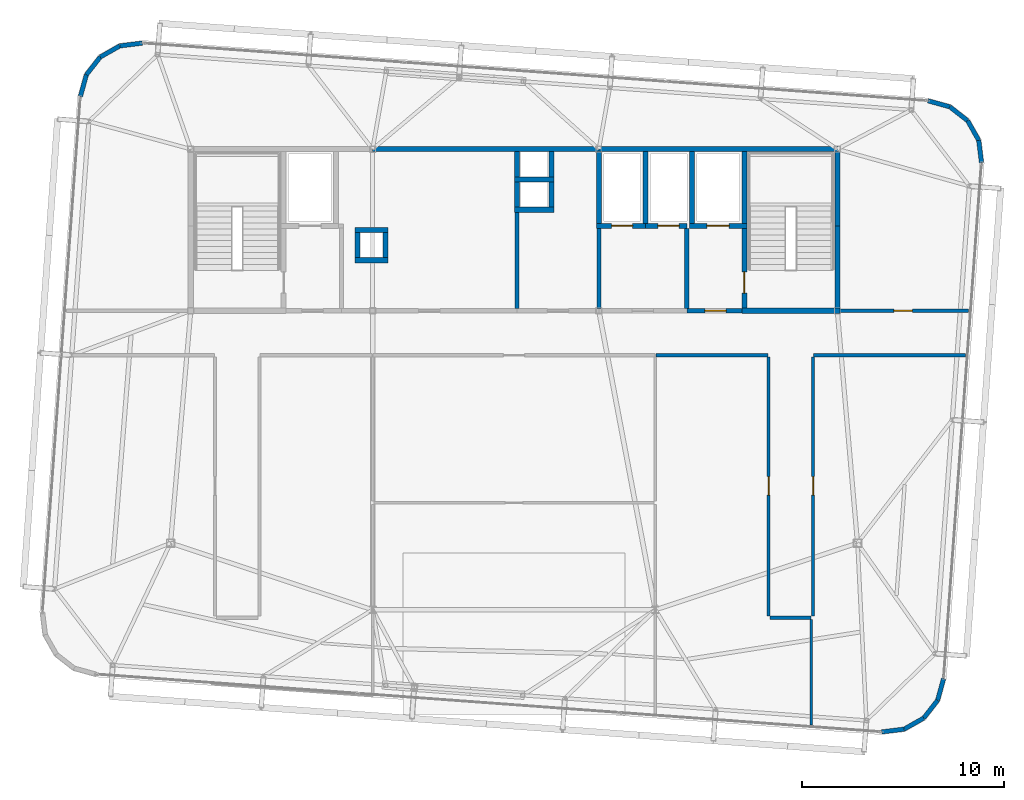
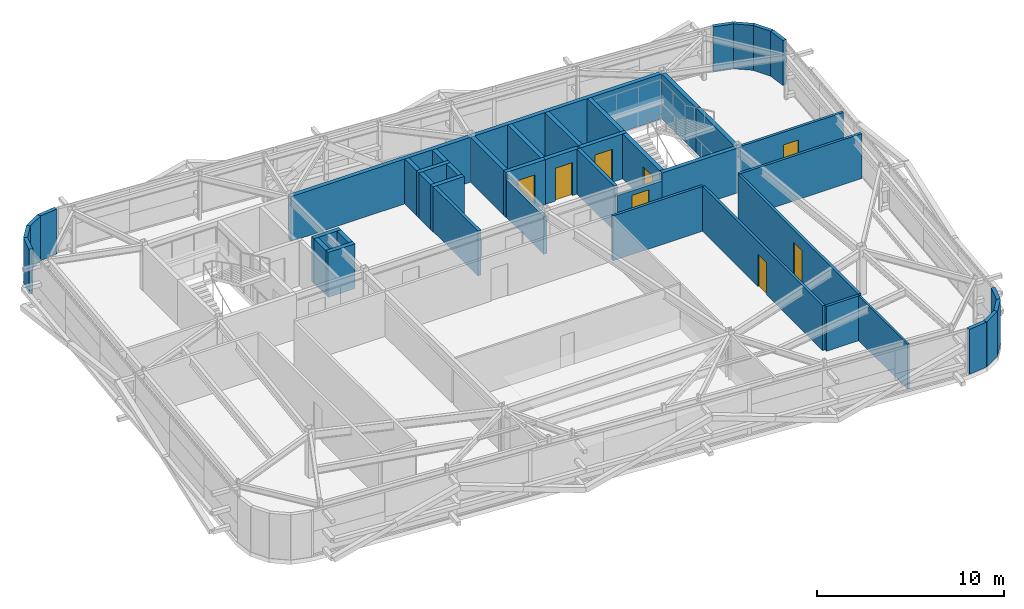
# One storey, part 32 of 35: 46 walls, 8 doors, 8 openings.
"""IFC4 building model written with IfcOpenShell, lengths in metres."""

from ifc_helpers import new_model, si_unit, direction, frame, frame_2d, origin, place, context, subcontext, project, spatial, rectangle, extrude, source, transform, mapped, material, layer, layer_set, type_object, element, fill, save


model = new_model("IFC4")

# Units and contexts
model_context = context("Model", 3, precision=1e-05, world=origin(), true_north=direction((0.0, 1.0)))
body_context = subcontext(model_context, "Body", "Model", "MODEL_VIEW")
ifc_project = project(units=[si_unit("LENGTHUNIT", "METRE"), si_unit("AREAUNIT", "SQUARE_METRE"), si_unit("VOLUMEUNIT", "CUBIC_METRE"), si_unit("PLANEANGLEUNIT", "RADIAN"), si_unit("MASSUNIT", "GRAM", prefix="KILO")], contexts=[model_context])

# Site, building, storey
site_placement = place(None, origin())
site = spatial("IfcSite", under=ifc_project, at=site_placement, CompositionType="ELEMENT")
building_placement = place(site_placement, origin())
building = spatial("IfcBuilding", under=site, at=building_placement, Name="Taldren Reach Tower", CompositionType="ELEMENT")
storey_placement = place(building_placement, frame((0.0, 0.0, 236.60009765625)))
storey = spatial("IfcBuildingStorey", under=building, at=storey_placement, Name="L72", CompositionType="ELEMENT", Elevation=236.60009765625)

# Walls
ifc_material_1 = material(Name="Pale Champagne Anodised Aluminium Cladding", Category="aluminium")
ifc_layer_1 = layer(ifc_material_1, 0.04, Name="Pale Champagne Anodised Aluminium Cladding", Category="aluminium")
ifc_material_2 = material(Name="Mineral Wool Acoustic Insulation", Category="insulation")
ifc_layer_2 = layer(ifc_material_2, 0.06, Name="Mineral Wool Acoustic Insulation", Category="insulation")
ifc_material_3 = material(Name="Steel Gr 350 (C350L0)", Category="steel")
ifc_layer_3 = layer(ifc_material_3, 0.12, Name="Steel Gr 350 (C350L0)", Category="steel")
ifc_layer_set_1 = layer_set([ifc_layer_1, ifc_layer_2, ifc_layer_3], Name="Pale Champagne Aluminium Cladding and Steel Gr 350 Stud Framing")
wall_type_1 = type_object("IfcWallType", Name="EW-CRN-220", PredefinedType="SOLIDWALL", material=ifc_layer_set_1)
shared_shape_1 = source(origin(), body_context, "Body", "SweptSolid", [
    extrude(rectangle(XDim=1.115966796875, YDim=0.219970703125, at=frame_2d((0.55810546875, 0.0))), origin(), (0.0, 0.0, 1.0), 2.929931640625),
])
for number, where, z_axis, x_axis, name in (
    (1, (53.20068359375, 3.15380859375, 0.0), (0.0, 0.0, 1.0), (0.992438604032, 0.122742076028, 0.0), "Rounded-corner pale-metal facade wall L72-SE1"),
    (2, (55.279052734375, 3.84130859375, 0.0), (0.0, 0.0, 1.0), (0.615015475096, 0.788515038152, 0.0), "Rounded-corner pale-metal facade wall L72-SE3"),
    (3, (55.96533203125, 4.72119140625, 0.0), (0.0, 0.0, 1.0), (0.26624444942, 0.963905541613, 0.0), "Rounded-corner pale-metal facade wall L72-SE4"),
    (4, (58.137451171875, 31.328125, 0.0), (0.0, 0.0, 1.0), (-0.122742076028, 0.992438604032, 0.0), "Rounded-corner pale-metal facade wall L72-NE1"),
    (5, (57.4501953125, 33.40625, 0.0), (0.0, 0.0, 1.0), (-0.788597772321, 0.614909386406, 0.0), "Rounded-corner pale-metal facade wall L72-NE3"),
    (6, (14.52099609375, 36.558837890625, 0.0), (0.0, 0.0, 1.0), (-0.614909386406, -0.788597772321, 0.0), "Rounded-corner pale-metal facade wall L72-NW3"),
):
    element("IfcWall", number, at=place(storey_placement, frame(where, z_axis=z_axis, x_axis=x_axis)), inside=storey, type_object=wall_type_1, Name=name, PredefinedType="SOLIDWALL", context=body_context, shape_type="MappedRepresentation", body=[
        mapped(shared_shape_1, transform((0.0, 0.0, 0.0), scale=1.0)),
    ])
shared_shape_2 = source(origin(), body_context, "Body", "SweptSolid", [
    extrude(rectangle(XDim=1.11572265625, YDim=0.219970703125, at=frame_2d((0.557861328125, 0.0))), origin(), (0.0, 0.0, 1.0), 2.929931640625),
])
for number, where, z_axis, x_axis, name in (
    (7, (58.00048828125, 32.435546875, 0.0), (0.0, 0.0, 1.0), (-0.493167138628, 0.869934579941, 0.0), "Rounded-corner pale-metal facade wall L72-NE2"),
    (8, (56.570068359375, 34.092529296875, 0.0), (0.0, 0.0, 1.0), (-0.963833843713, 0.266503886865, 0.0), "Rounded-corner pale-metal facade wall L72-NE4"),
    (9, (15.49169921875, 37.109130859375, 0.0), (0.0, 0.0, 1.0), (-0.869934579941, -0.493167138628, 0.0), "Rounded-corner pale-metal facade wall L72-NW2"),
    (10, (13.834716796875, 35.6787109375, 0.0), (0.0, 0.0, 1.0), (-0.266300605026, -0.963890028874, 0.0), "Rounded-corner pale-metal facade wall L72-NW4"),
):
    element("IfcWall", number, at=place(storey_placement, frame(where, z_axis=z_axis, x_axis=x_axis)), inside=storey, type_object=wall_type_1, Name=name, PredefinedType="SOLIDWALL", context=body_context, shape_type="MappedRepresentation", body=[
        mapped(shared_shape_2, transform((0.0, 0.0, 0.0), scale=1.0)),
    ])
shared_shape_3 = source(origin(), body_context, "Body", "SweptSolid", [
    extrude(rectangle(XDim=1.1162109375, YDim=0.219970703125, at=frame_2d((0.55810546875, 0.0))), origin(), (0.0, 0.0, 1.0), 2.929931640625),
])
for number, where, z_axis, x_axis, name in (
    (11, (54.30810546875, 3.290771484375, 0.0), (0.0, 0.0, 1.0), (0.869893934693, 0.49323882895, 0.0), "Rounded-corner pale-metal facade wall L72-SE2"),
    (12, (16.599365234375, 37.24609375, 0.0), (0.0, 0.0, 1.0), (-0.992441899189, -0.122715429897, 0.0), "Rounded-corner pale-metal facade wall L72-NW1"),
):
    element("IfcWall", number, at=place(storey_placement, frame(where, z_axis=z_axis, x_axis=x_axis)), inside=storey, type_object=wall_type_1, Name=name, PredefinedType="SOLIDWALL", context=body_context, shape_type="MappedRepresentation", body=[
        mapped(shared_shape_3, transform((0.0, 0.0, 0.0), scale=1.0)),
    ])
ifc_material_4 = material(Name="Concrete S65 (65 MPa)", Category="concrete")
ifc_layer_4 = layer(ifc_material_4, 0.25)
ifc_layer_set_2 = layer_set([ifc_layer_4], Name="Concrete S65 (65 MPa)")
wall_type_2 = type_object("IfcWallType", Name="IW-CORE-250", PredefinedType="SHEAR", material=ifc_layer_set_2)
shared_shape_4 = source(origin(), body_context, "Body", "SweptSolid", [
    extrude(rectangle(XDim=11.199951171875, YDim=0.25, at=frame_2d((5.60009765625, 0.0))), origin(), (0.0, 0.0, 1.0), 2.929931640625),
])
wall_1_placement = place(storey_placement, frame((28.0, 32.0, 0.0), z_axis=(0.0, 0.0, 1.0), x_axis=(1.0, 0.0, 0.0)))
element("IfcWall", 13, at=wall_1_placement, inside=storey, type_object=wall_type_2, Name="Rear Core Shear Wall W-CORE-L72-NORTH2", PredefinedType="SHEAR", context=body_context, shape_type="MappedRepresentation", body=[
    mapped(shared_shape_4, transform((0.0, 0.0, 0.0), scale=1.0)),
])
shared_shape_5 = source(origin(), body_context, "Body", "SweptSolid", [
    extrude(rectangle(XDim=11.925048828125, YDim=0.25, at=frame_2d((5.96240234375, 0.0))), origin(), (0.0, 0.0, 1.0), 2.929931640625),
])
wall_2_placement = place(storey_placement, frame((39.199951171875, 32.0, 0.0), z_axis=(0.0, 0.0, 1.0), x_axis=(1.0, 0.0, 0.0)))
element("IfcWall", 14, at=wall_2_placement, inside=storey, type_object=wall_type_2, Name="Rear Core Shear Wall W-CORE-L72-NORTH3", PredefinedType="SHEAR", context=body_context, shape_type="MappedRepresentation", body=[
    mapped(shared_shape_5, transform((0.0, 0.0, 0.0), scale=1.0)),
])
shared_shape_6 = source(origin(), body_context, "Body", "SweptSolid", [
    extrude(rectangle(XDim=4.074951171875, YDim=0.25, at=frame_2d((2.03759765625, 0.0))), origin(), (0.0, 0.0, 1.0), 2.929931640625),
])
wall_3_placement = place(storey_placement, frame((51.0, 24.125, 0.0), z_axis=(0.0, 0.0, 1.0), x_axis=(0.0, 1.0, 0.0)))
element("IfcWall", 15, at=wall_3_placement, inside=storey, type_object=wall_type_2, Name="Rear Core Shear Wall W-CORE-L72-EAST1", PredefinedType="SHEAR", context=body_context, shape_type="MappedRepresentation", body=[
    mapped(shared_shape_6, transform((0.0, 0.0, 0.0), scale=1.0)),
])
shared_shape_7 = source(origin(), body_context, "Body", "SweptSolid", [
    extrude(rectangle(XDim=3.675048828125, YDim=0.25, at=frame_2d((1.83740234375, 0.0))), origin(), (0.0, 0.0, 1.0), 2.929931640625),
])
wall_4_placement = place(storey_placement, frame((51.0, 28.199951171875, 0.0), z_axis=(0.0, 0.0, 1.0), x_axis=(0.0, 1.0, 0.0)))
element("IfcWall", 16, at=wall_4_placement, inside=storey, type_object=wall_type_2, Name="Rear Core Shear Wall W-CORE-L72-EAST2", PredefinedType="SHEAR", context=body_context, shape_type="MappedRepresentation", body=[
    mapped(shared_shape_7, transform((0.0, 0.0, 0.0), scale=1.0)),
])
shared_shape_8 = source(origin(), body_context, "Body", "SweptSolid", [
    extrude(rectangle(XDim=3.550048828125, YDim=0.25, at=frame_2d((1.77490234375, 0.0))), origin(), (0.0, 0.0, 1.0), 2.929931640625),
])
for number, where, z_axis, x_axis, name in (
    (17, (46.39990234375, 31.875, 0.0), (0.0, 0.0, 1.0), (0.0, -1.0, 0.0), "Rear Core Shear Wall W-INT-L72-008"),
    (18, (43.800048828125, 31.875, 0.0), (0.0, 0.0, 1.0), (0.0, -1.0, 0.0), "Rear Core Shear Wall W-INT-L72-012"),
    (19, (41.5, 28.324951171875, 0.0), (0.0, 0.0, 1.0), (0.0, 1.0, 0.0), "Rear Core Shear Wall W-INT-L72-025"),
    (20, (39.199951171875, 31.875, 0.0), (0.0, 0.0, 1.0), (0.0, -1.0, 0.0), "Rear Core Shear Wall W-INT-L72-027"),
):
    element("IfcWall", number, at=place(storey_placement, frame(where, z_axis=z_axis, x_axis=x_axis)), inside=storey, type_object=wall_type_2, Name=name, PredefinedType="SHEAR", context=body_context, shape_type="MappedRepresentation", body=[
        mapped(shared_shape_8, transform((0.0, 0.0, 0.0), scale=1.0)),
    ])

# Wall, opening, door
shared_shape_9 = source(origin(), body_context, "Body", "SweptSolid", [
    extrude(rectangle(XDim=3.949951171875, YDim=0.25, at=frame_2d((1.97509765625, 0.0))), origin(), (0.0, 0.0, 1.0), 2.929931640625),
])
wall_5_placement = place(storey_placement, frame((46.39990234375, 28.074951171875, 0.0), z_axis=(0.0, 0.0, 1.0), x_axis=(0.0, -1.0, 0.0)))
wall_5 = element("IfcWall", 21, at=wall_5_placement, inside=storey, type_object=wall_type_2, Name="Rear Core Shear Wall W-INT-L72-009", PredefinedType="SHEAR", context=body_context, shape_type="MappedRepresentation", body=[
    mapped(shared_shape_9, transform((0.0, 0.0, 0.0), scale=1.0)),
])
shared_shape_10 = source(origin(), body_context, "Body", "SweptSolid", [
    extrude(rectangle(XDim=1.050048828125, YDim=2.10009765625, at=frame_2d((0.52490234375, 1.050048828125))), frame((0.0, 0.135009765625, 0.0), z_axis=(0.0, -1.0, 0.0), x_axis=(1.0, 0.0, 0.0)), (0.0, 0.0, 1.0), 0.27001953125),
])
opening_1_placement = place(wall_5_placement, frame((2.14990234375, 0.0, 0.0)))
opening_1 = element("IfcOpeningElement", 22, at=opening_1_placement, cuts=wall_5, Name="Opening DF-105", PredefinedType="OPENING", context=body_context, shape_type="MappedRepresentation", body=[
    mapped(shared_shape_10, transform((0.0, 0.0, 0.0), scale=1.0)),
])
ifc_material_5 = material(Name="Fire-Rated Care and Stair Exit Door")
door_type_1 = type_object("IfcDoorType", Name="ID-FIRE-105", OperationType="NOTDEFINED", PredefinedType="DOOR", material=ifc_material_5)
shared_shape_11 = source(origin(), body_context, "Body", "SweptSolid", [
    extrude(rectangle(XDim=1.050048828125, YDim=2.10009765625, at=frame_2d((0.52490234375, 1.050048828125))), frame((0.0, 0.02490234375, 0.0), z_axis=(0.0, -1.0, 0.0), x_axis=(1.0, 0.0, 0.0)), (0.0, 0.0, 1.0), 0.050048828125),
])
door_1_placement = place(opening_1_placement, origin())
door_1 = element("IfcDoor", 23, at=door_1_placement, inside=storey, type_object=door_type_1, Name="Fire Exit Stair Door DR-L72-003", OperationType="SINGLE_SWING_RIGHT", OverallHeight=2.10009765625, OverallWidth=1.050048828125, PredefinedType="DOOR", context=body_context, shape_type="MappedRepresentation", body=[
    mapped(shared_shape_11, transform((0.0, 0.0, 0.0), scale=1.0)),
])
fill(opening_1, door_1)

# Wall
shared_shape_12 = source(origin(), body_context, "Body", "SweptSolid", [
    extrude(rectangle(XDim=4.85009765625, YDim=0.25, at=frame_2d((2.425048828125, 0.0))), origin(), (0.0, 0.0, 1.0), 2.929931640625),
])
wall_6_placement = place(storey_placement, frame((46.27490234375, 24.0, 0.0), z_axis=(0.0, 0.0, 1.0), x_axis=(1.0, 0.0, 0.0)))
element("IfcWall", 24, at=wall_6_placement, inside=storey, type_object=wall_type_2, Name="Rear Core Shear Wall W-INT-L72-010", PredefinedType="SHEAR", context=body_context, shape_type="MappedRepresentation", body=[
    mapped(shared_shape_12, transform((0.0, 0.0, 0.0), scale=1.0)),
])

# Wall, opening, door
shared_shape_13 = source(origin(), body_context, "Body", "SweptSolid", [
    extrude(rectangle(XDim=2.849853515625, YDim=0.25, at=frame_2d((1.4248046875, 0.0))), origin(), (0.0, 0.0, 1.0), 2.929931640625),
])
wall_7_placement = place(storey_placement, frame((43.675048828125, 28.199951171875, 0.0), z_axis=(0.0, 0.0, 1.0), x_axis=(1.0, 0.0, 0.0)))
wall_7 = element("IfcWall", 25, at=wall_7_placement, inside=storey, type_object=wall_type_2, Name="Rear Core Shear Wall W-INT-L72-011", PredefinedType="SHEAR", context=body_context, shape_type="MappedRepresentation", body=[
    mapped(shared_shape_13, transform((0.0, 0.0, 0.0), scale=1.0)),
])
shared_shape_14 = source(origin(), body_context, "Body", "SweptSolid", [
    extrude(rectangle(XDim=1.10009765625, YDim=2.14990234375, at=frame_2d((0.550048828125, 1.074951171875))), frame((0.0, 0.135009765625, 0.0), z_axis=(0.0, -1.0, 0.0), x_axis=(1.0, 0.0, 0.0)), (0.0, 0.0, 1.0), 0.27001953125),
])
opening_2_placement = place(wall_7_placement, frame((0.875, 0.0, 0.0)))
opening_2 = element("IfcOpeningElement", 26, at=opening_2_placement, cuts=wall_7, Name="Opening LD-FL2", PredefinedType="OPENING", context=body_context, shape_type="MappedRepresentation", body=[
    mapped(shared_shape_14, transform((0.0, 0.0, 0.0), scale=1.0)),
])
ifc_material_6 = material(Name="Stainless Steel Gr 316 Emergency Lift Landing Door", Category="steel")
door_type_2 = type_object("IfcDoorType", Name="LD-EMG-110", OperationType="SLIDING_TO_LEFT", PredefinedType="DOOR", material=ifc_material_6)
shared_shape_15 = source(origin(), body_context, "Body", "SweptSolid", [
    extrude(rectangle(XDim=1.10009765625, YDim=2.14990234375, at=frame_2d((0.550048828125, 1.074951171875))), frame((0.0, 0.02490234375, 0.0), z_axis=(0.0, -1.0, 0.0), x_axis=(1.0, 0.0, 0.0)), (0.0, 0.0, 1.0), 0.050048828125),
])
door_2_placement = place(opening_2_placement, origin())
door_2 = element("IfcDoor", 27, at=door_2_placement, inside=storey, type_object=door_type_2, Name="Lift Landing Door LD-FL2-L72", OperationType="SLIDING_TO_LEFT", OverallHeight=2.14990234375, OverallWidth=1.10009765625, PredefinedType="DOOR", context=body_context, shape_type="MappedRepresentation", body=[
    mapped(shared_shape_15, transform((0.0, 0.0, 0.0), scale=1.0)),
])
fill(opening_2, door_2)

# Wall
ifc_material_7 = material(Name="Concrete S50 (50 MPa)", Category="concrete")
ifc_layer_5 = layer(ifc_material_7, 0.199951171875)
ifc_layer_set_3 = layer_set([ifc_layer_5], Name="Concrete S50 (50 MPa)")
wall_type_3 = type_object("IfcWallType", Name="IW-CORE-200", PredefinedType="SOLIDWALL", material=ifc_layer_set_3)
shared_shape_16 = source(origin(), body_context, "Body", "SweptSolid", [
    extrude(rectangle(XDim=3.974853515625, YDim=0.199951171875, at=frame_2d((1.9873046875, 0.0))), origin(), (0.0, 0.0, 1.0), 2.929931640625),
])
wall_8_placement = place(storey_placement, frame((43.550048828125, 28.074951171875, 0.0), z_axis=(0.0, 0.0, 1.0), x_axis=(0.0, -1.0, 0.0)))
element("IfcWall", 28, at=wall_8_placement, inside=storey, type_object=wall_type_3, Name="Rear Core Shear Wall W-INT-L72-013", PredefinedType="SOLIDWALL", context=body_context, shape_type="MappedRepresentation", body=[
    mapped(shared_shape_16, transform((0.0, 0.0, 0.0), scale=1.0)),
])

# Wall, opening, door
shared_shape_17 = source(origin(), body_context, "Body", "SweptSolid", [
    extrude(rectangle(XDim=2.724853515625, YDim=0.199951171875, at=frame_2d((1.3623046875, 0.0))), origin(), (0.0, 0.0, 1.0), 2.39697265625),
])
wall_9_placement = place(storey_placement, frame((43.550048828125, 24.0, 0.0), z_axis=(0.0, 0.0, 1.0), x_axis=(1.0, 0.0, 0.0)))
wall_9 = element("IfcWall", 29, at=wall_9_placement, inside=storey, type_object=wall_type_3, Name="Rear Core Shear Wall W-INT-L72-014", PredefinedType="SOLIDWALL", context=body_context, shape_type="MappedRepresentation", body=[
    mapped(shared_shape_17, transform((0.0, 0.0, 0.0), scale=1.0)),
])
shared_shape_18 = source(origin(), body_context, "Body", "SweptSolid", [
    extrude(rectangle(XDim=1.050048828125, YDim=2.10009765625, at=frame_2d((0.52490234375, 1.050048828125))), frame((0.0, 0.10986328125, 0.0), z_axis=(0.0, -1.0, 0.0), x_axis=(1.0, 0.0, 0.0)), (0.0, 0.0, 1.0), 0.219970703125),
])
opening_3_placement = place(wall_9_placement, frame((0.89990234375, 0.0, 0.0)))
opening_3 = element("IfcOpeningElement", 30, at=opening_3_placement, cuts=wall_9, Name="Opening DF-105", PredefinedType="OPENING", context=body_context, shape_type="MappedRepresentation", body=[
    mapped(shared_shape_18, transform((0.0, 0.0, 0.0), scale=1.0)),
])
door_3_placement = place(opening_3_placement, origin())
door_3 = element("IfcDoor", 31, at=door_3_placement, inside=storey, type_object=door_type_1, Name="Interior Door DR-L72-004", OperationType="SINGLE_SWING_LEFT", OverallHeight=2.10009765625, OverallWidth=1.050048828125, PredefinedType="DOOR", context=body_context, shape_type="MappedRepresentation", body=[
    mapped(shared_shape_11, transform((0.0, 0.0, 0.0), scale=1.0)),
])
fill(opening_3, door_3)

# Walls
shared_shape_19 = source(origin(), body_context, "Body", "SweptSolid", [
    extrude(rectangle(XDim=1.9501953125, YDim=0.25, at=frame_2d((0.97509765625, 0.0))), origin(), (0.0, 0.0, 1.0), 2.929931640625),
])
for number, where, z_axis, x_axis, name in (
    (32, (35.02490234375, 30.5, 0.0), (0.0, 0.0, 1.0), (1.0, 0.0, 0.0), "Rear Core Shear Wall W-INT-L72-015"),
    (33, (35.02490234375, 29.0, 0.0), (0.0, 0.0, 1.0), (1.0, 0.0, 0.0), "Rear Core Shear Wall W-INT-L72-019"),
):
    element("IfcWall", number, at=place(storey_placement, frame(where, z_axis=z_axis, x_axis=x_axis)), inside=storey, type_object=wall_type_2, Name=name, PredefinedType="SHEAR", context=body_context, shape_type="MappedRepresentation", body=[
        mapped(shared_shape_19, transform((0.0, 0.0, 0.0), scale=1.0)),
    ])
shared_shape_20 = source(origin(), body_context, "Body", "SweptSolid", [
    extrude(rectangle(XDim=1.25, YDim=0.25, at=frame_2d((0.625, 0.0))), origin(), (0.0, 0.0, 1.0), 2.929931640625),
])
for number, where, z_axis, x_axis, name in (
    (34, (35.14990234375, 31.875, 0.0), (0.0, 0.0, 1.0), (0.0, -1.0, 0.0), "Rear Core Shear Wall W-INT-L72-016"),
    (35, (36.85009765625, 30.625, 0.0), (0.0, 0.0, 1.0), (0.0, 1.0, 0.0), "Rear Core Shear Wall W-INT-L72-017"),
    (36, (35.14990234375, 30.375, 0.0), (0.0, 0.0, 1.0), (0.0, -1.0, 0.0), "Rear Core Shear Wall W-INT-L72-018"),
    (37, (36.85009765625, 29.125, 0.0), (0.0, 0.0, 1.0), (0.0, 1.0, 0.0), "Rear Core Shear Wall W-INT-L72-020"),
    (38, (28.64990234375, 26.625, 0.0), (0.0, 0.0, 1.0), (0.0, 1.0, 0.0), "Rear Core Shear Wall W-INT-L72-021"),
    (39, (27.25, 27.875, 0.0), (0.0, 0.0, 1.0), (0.0, -1.0, 0.0), "Rear Core Shear Wall W-INT-L72-022"),
):
    element("IfcWall", number, at=place(storey_placement, frame(where, z_axis=z_axis, x_axis=x_axis)), inside=storey, type_object=wall_type_2, Name=name, PredefinedType="SHEAR", context=body_context, shape_type="MappedRepresentation", body=[
        mapped(shared_shape_20, transform((0.0, 0.0, 0.0), scale=1.0)),
    ])
shared_shape_21 = source(origin(), body_context, "Body", "SweptSolid", [
    extrude(rectangle(XDim=1.64990234375, YDim=0.25, at=frame_2d((0.824951171875, 0.0))), origin(), (0.0, 0.0, 1.0), 2.929931640625),
])
for number, where, z_axis, x_axis, name in (
    (40, (28.77490234375, 28.0, 0.0), (0.0, 0.0, 1.0), (-1.0, 0.0, 0.0), "Rear Core Shear Wall W-INT-L72-023"),
    (41, (27.125, 26.5, 0.0), (0.0, 0.0, 1.0), (1.0, 0.0, 0.0), "Rear Core Shear Wall W-INT-L72-024"),
):
    element("IfcWall", number, at=place(storey_placement, frame(where, z_axis=z_axis, x_axis=x_axis)), inside=storey, type_object=wall_type_2, Name=name, PredefinedType="SHEAR", context=body_context, shape_type="MappedRepresentation", body=[
        mapped(shared_shape_21, transform((0.0, 0.0, 0.0), scale=1.0)),
    ])

# Wall, opening, door
shared_shape_22 = source(origin(), body_context, "Body", "SweptSolid", [
    extrude(rectangle(XDim=2.425048828125, YDim=0.25, at=frame_2d((1.21240234375, 0.0))), origin(), (0.0, 0.0, 1.0), 2.929931640625),
])
wall_10_placement = place(storey_placement, frame((39.074951171875, 28.199951171875, 0.0), z_axis=(0.0, 0.0, 1.0), x_axis=(1.0, 0.0, 0.0)))
wall_10 = element("IfcWall", 42, at=wall_10_placement, inside=storey, type_object=wall_type_2, Name="Rear Core Shear Wall W-INT-L72-026", PredefinedType="SHEAR", context=body_context, shape_type="MappedRepresentation", body=[
    mapped(shared_shape_22, transform((0.0, 0.0, 0.0), scale=1.0)),
])
shared_shape_23 = source(origin(), body_context, "Body", "SweptSolid", [
    extrude(rectangle(XDim=1.050048828125, YDim=2.14990234375, at=frame_2d((0.52490234375, 1.074951171875))), frame((0.0, 0.135009765625, 0.0), z_axis=(0.0, -1.0, 0.0), x_axis=(1.0, 0.0, 0.0)), (0.0, 0.0, 1.0), 0.27001953125),
])
opening_4_placement = place(wall_10_placement, frame((0.75, 0.0, 0.0)))
opening_4 = element("IfcOpeningElement", 43, at=opening_4_placement, cuts=wall_10, Name="Opening LD-PH1", PredefinedType="OPENING", context=body_context, shape_type="MappedRepresentation", body=[
    mapped(shared_shape_23, transform((0.0, 0.0, 0.0), scale=1.0)),
])
ifc_material_8 = material(Name="Stainless Steel Gr 316 Passenger Lift Landing Door", Category="steel")
door_type_3 = type_object("IfcDoorType", Name="LD-PAS-105", OperationType="SLIDING_TO_LEFT", PredefinedType="DOOR", material=ifc_material_8)
shared_shape_24 = source(origin(), body_context, "Body", "SweptSolid", [
    extrude(rectangle(XDim=1.050048828125, YDim=2.14990234375, at=frame_2d((0.52490234375, 1.074951171875))), frame((0.0, 0.02490234375, 0.0), z_axis=(0.0, -1.0, 0.0), x_axis=(1.0, 0.0, 0.0)), (0.0, 0.0, 1.0), 0.050048828125),
])
door_4_placement = place(opening_4_placement, origin())
door_4 = element("IfcDoor", 44, at=door_4_placement, inside=storey, type_object=door_type_3, Name="Lift Landing Door LD-PH1-L72", OperationType="SLIDING_TO_LEFT", OverallHeight=2.14990234375, OverallWidth=1.050048828125, PredefinedType="DOOR", context=body_context, shape_type="MappedRepresentation", body=[
    mapped(shared_shape_24, transform((0.0, 0.0, 0.0), scale=1.0)),
])
fill(opening_4, door_4)

shared_shape_25 = source(origin(), body_context, "Body", "SweptSolid", [
    extrude(rectangle(XDim=2.070068359375, YDim=0.25, at=frame_2d((1.03515625, 0.0))), origin(), (0.0, 0.0, 1.0), 2.929931640625),
])
wall_11_placement = place(storey_placement, frame((41.5, 28.199951171875, 0.0), z_axis=(0.0, 0.0, 1.0), x_axis=(1.0, 0.0, 0.0)))
wall_11 = element("IfcWall", 45, at=wall_11_placement, inside=storey, type_object=wall_type_2, Name="Rear Core Shear Wall W-INT-L72-028", PredefinedType="SHEAR", context=body_context, shape_type="MappedRepresentation", body=[
    mapped(shared_shape_25, transform((0.0, 0.0, 0.0), scale=1.0)),
])
opening_5_placement = place(wall_11_placement, frame((0.625, 0.0, 0.0)))
opening_5 = element("IfcOpeningElement", 46, at=opening_5_placement, cuts=wall_11, Name="Opening LD-PH2", PredefinedType="OPENING", context=body_context, shape_type="MappedRepresentation", body=[
    mapped(shared_shape_23, transform((0.0, 0.0, 0.0), scale=1.0)),
])
door_5_placement = place(opening_5_placement, origin())
door_5 = element("IfcDoor", 47, at=door_5_placement, inside=storey, type_object=door_type_3, Name="Lift Landing Door LD-PH2-L72", OperationType="SLIDING_TO_LEFT", OverallHeight=2.14990234375, OverallWidth=1.050048828125, PredefinedType="DOOR", context=body_context, shape_type="MappedRepresentation", body=[
    mapped(shared_shape_24, transform((0.0, 0.0, 0.0), scale=1.0)),
])
fill(opening_5, door_5)

ifc_material_9 = material(Name="Fire-Rated Acoustic Plasterboard Stud Wall", Category="gypsum")
ifc_layer_6 = layer(ifc_material_9, 0.159912109375)
ifc_layer_set_4 = layer_set([ifc_layer_6], Name="Fire-Rated Acoustic Plasterboard Stud Wall")
wall_type_4 = type_object("IfcWallType", Name="IW-FIRE-160", PredefinedType="PARTITIONING", material=ifc_layer_set_4)
shared_shape_26 = source(origin(), body_context, "Body", "SweptSolid", [
    extrude(rectangle(XDim=12.840087890625, YDim=0.159912109375, at=frame_2d((6.419921875, 0.0))), origin(), (0.0, 0.0, 1.0), 2.929931640625),
])
wall_12_placement = place(storey_placement, frame((47.60009765625, 8.8798828125, 0.0), z_axis=(0.0, 0.0, 1.0), x_axis=(0.0, 1.0, 0.0)))
wall_12 = element("IfcWall", 48, at=wall_12_placement, inside=storey, type_object=wall_type_4, Name="Interior Partition Wall W-INT-L72-040", PredefinedType="PARTITIONING", context=body_context, shape_type="MappedRepresentation", body=[
    mapped(shared_shape_26, transform((0.0, 0.0, 0.0), scale=1.0)),
])
shared_shape_27 = source(origin(), body_context, "Body", "SweptSolid", [
    extrude(rectangle(XDim=0.919921875, YDim=2.10009765625, at=frame_2d((0.4599609375, 1.050048828125))), frame((0.0, 0.08984375, 0.0), z_axis=(0.0, -1.0, 0.0), x_axis=(1.0, 0.0, 0.0)), (0.0, 0.0, 1.0), 0.179931640625),
])
opening_6_placement = place(wall_12_placement, frame((5.98974609375, 0.0, 0.0)))
opening_6 = element("IfcOpeningElement", 49, at=opening_6_placement, cuts=wall_12, Name="Opening DI-092", PredefinedType="OPENING", context=body_context, shape_type="MappedRepresentation", body=[
    mapped(shared_shape_27, transform((0.0, 0.0, 0.0), scale=1.0)),
])
ifc_material_10 = material(Name="Solid-Core Timber Suite Door", Category="wood")
door_type_4 = type_object("IfcDoorType", Name="ID-INT-092", OperationType="NOTDEFINED", PredefinedType="DOOR", material=ifc_material_10)
shared_shape_28 = source(origin(), body_context, "Body", "SweptSolid", [
    extrude(rectangle(XDim=0.919921875, YDim=2.10009765625, at=frame_2d((0.4599609375, 1.050048828125))), frame((0.0, 0.02490234375, 0.0), z_axis=(0.0, -1.0, 0.0), x_axis=(1.0, 0.0, 0.0)), (0.0, 0.0, 1.0), 0.050048828125),
])
door_6_placement = place(opening_6_placement, origin())
door_6 = element("IfcDoor", 50, at=door_6_placement, inside=storey, type_object=door_type_4, Name="Interior Door DR-L72-010", OperationType="SINGLE_SWING_LEFT", OverallHeight=2.10009765625, OverallWidth=0.919921875, PredefinedType="DOOR", context=body_context, shape_type="MappedRepresentation", body=[
    mapped(shared_shape_28, transform((0.0, 0.0, 0.0), scale=1.0)),
])
fill(opening_6, door_6)

wall_13_placement = place(storey_placement, frame((49.800048828125, 21.719970703125, 0.0), z_axis=(0.0, 0.0, 1.0), x_axis=(0.0, -1.0, 0.0)))
wall_13 = element("IfcWall", 51, at=wall_13_placement, inside=storey, type_object=wall_type_4, Name="Interior Partition Wall W-INT-L72-043", PredefinedType="PARTITIONING", context=body_context, shape_type="MappedRepresentation", body=[
    mapped(shared_shape_26, transform((0.0, 0.0, 0.0), scale=1.0)),
])
opening_7_placement = place(wall_13_placement, frame((5.93017578125, 0.0, 0.0)))
opening_7 = element("IfcOpeningElement", 52, at=opening_7_placement, cuts=wall_13, Name="Opening DI-092", PredefinedType="OPENING", context=body_context, shape_type="MappedRepresentation", body=[
    mapped(shared_shape_27, transform((0.0, 0.0, 0.0), scale=1.0)),
])
door_7_placement = place(opening_7_placement, origin())
door_7 = element("IfcDoor", 53, at=door_7_placement, inside=storey, type_object=door_type_4, Name="Interior Door DR-L72-011", OperationType="SINGLE_SWING_RIGHT", OverallHeight=2.10009765625, OverallWidth=0.919921875, PredefinedType="DOOR", context=body_context, shape_type="MappedRepresentation", body=[
    mapped(shared_shape_28, transform((0.0, 0.0, 0.0), scale=1.0)),
])
fill(opening_7, door_7)

# Walls
shared_shape_29 = source(origin(), body_context, "Body", "SweptSolid", [
    extrude(rectangle(XDim=5.559326171875, YDim=0.159912109375, at=frame_2d((2.77978515625, 0.0))), origin(), (0.0, 0.0, 1.0), 2.929931640625),
])
wall_14_placement = place(storey_placement, frame((47.57958984375, 21.800048828125, 0.0), z_axis=(0.0, 0.0, 1.0), x_axis=(-1.0, 0.0, 0.0)))
element("IfcWall", 54, at=wall_14_placement, inside=storey, type_object=wall_type_4, Name="Interior Partition Wall W-INT-L72-041", PredefinedType="PARTITIONING", context=body_context, shape_type="MappedRepresentation", body=[
    mapped(shared_shape_29, transform((0.0, 0.0, 0.0), scale=1.0)),
])
shared_shape_30 = source(origin(), body_context, "Body", "SweptSolid", [
    extrude(rectangle(XDim=3.974853515625, YDim=0.199951171875, at=frame_2d((1.9873046875, 0.0))), origin(), (0.0, 0.0, 1.0), 2.469970703125),
])
wall_15_placement = place(storey_placement, frame((39.199951171875, 24.10009765625, 0.0), z_axis=(0.0, 0.0, 1.0), x_axis=(0.0, 1.0, 0.0)))
element("IfcWall", 55, at=wall_15_placement, inside=storey, type_object=wall_type_3, Name="Rear Core Shear Wall W-INT-L72-029", PredefinedType="SOLIDWALL", context=body_context, shape_type="MappedRepresentation", body=[
    mapped(shared_shape_30, transform((0.0, 0.0, 0.0), scale=1.0)),
])
shared_shape_31 = source(origin(), body_context, "Body", "SweptSolid", [
    extrude(rectangle(XDim=4.77490234375, YDim=0.199951171875, at=frame_2d((2.387451171875, 0.0))), origin(), (0.0, 0.0, 1.0), 2.929931640625),
])
wall_16_placement = place(storey_placement, frame((35.14990234375, 28.875, 0.0), z_axis=(0.0, 0.0, 1.0), x_axis=(0.0, -1.0, 0.0)))
element("IfcWall", 56, at=wall_16_placement, inside=storey, type_object=wall_type_3, Name="Rear Core Shear Wall W-INT-L72-031", PredefinedType="SOLIDWALL", context=body_context, shape_type="MappedRepresentation", body=[
    mapped(shared_shape_31, transform((0.0, 0.0, 0.0), scale=1.0)),
])

# Wall, opening, door
shared_shape_32 = source(origin(), body_context, "Body", "SweptSolid", [
    extrude(rectangle(XDim=6.378173828125, YDim=0.159912109375, at=frame_2d((3.18896484375, 0.0))), origin(), (0.0, 0.0, 1.0), 2.929931640625),
])
wall_17_placement = place(storey_placement, frame((51.125, 24.0, 0.0), z_axis=(0.0, 0.0, 1.0), x_axis=(1.0, 0.0, 0.0)))
wall_17 = element("IfcWall", 57, at=wall_17_placement, inside=storey, type_object=wall_type_4, Name="Interior Partition Wall W-INT-L72-045", PredefinedType="PARTITIONING", context=body_context, shape_type="MappedRepresentation", body=[
    mapped(shared_shape_32, transform((0.0, 0.0, 0.0), scale=1.0)),
])
opening_8_placement = place(wall_17_placement, frame((2.6767578125, 0.0, 0.0)))
opening_8 = element("IfcOpeningElement", 58, at=opening_8_placement, cuts=wall_17, Name="Opening DI-092", PredefinedType="OPENING", context=body_context, shape_type="MappedRepresentation", body=[
    mapped(shared_shape_27, transform((0.0, 0.0, 0.0), scale=1.0)),
])
door_8_placement = place(opening_8_placement, origin())
door_8 = element("IfcDoor", 59, at=door_8_placement, inside=storey, type_object=door_type_4, Name="Interior Door DR-L72-012", OperationType="SINGLE_SWING_LEFT", OverallHeight=2.10009765625, OverallWidth=0.919921875, PredefinedType="DOOR", context=body_context, shape_type="MappedRepresentation", body=[
    mapped(shared_shape_28, transform((0.0, 0.0, 0.0), scale=1.0)),
])
fill(opening_8, door_8)

# Walls
shared_shape_33 = source(origin(), body_context, "Body", "SweptSolid", [
    extrude(rectangle(XDim=7.532958984375, YDim=0.159912109375, at=frame_2d((3.7666015625, 0.0))), origin(), (0.0, 0.0, 1.0), 2.929931640625),
])
wall_18_placement = place(storey_placement, frame((57.353271484375, 21.800048828125, 0.0), z_axis=(0.0, 0.0, 1.0), x_axis=(-1.0, 0.0, 0.0)))
element("IfcWall", 60, at=wall_18_placement, inside=storey, type_object=wall_type_4, Name="Interior Partition Wall W-INT-L72-044", PredefinedType="PARTITIONING", context=body_context, shape_type="MappedRepresentation", body=[
    mapped(shared_shape_33, transform((0.0, 0.0, 0.0), scale=1.0)),
])
shared_shape_34 = source(origin(), body_context, "Body", "SweptSolid", [
    extrude(rectangle(XDim=2.0107421875, YDim=0.159912109375, at=frame_2d((1.00537109375, 0.0))), origin(), (0.0, 0.0, 1.0), 2.929931640625),
])
wall_19_placement = place(storey_placement, frame((49.690673828125, 8.800048828125, 0.0), z_axis=(0.0, 0.0, 1.0), x_axis=(-1.0, 0.0, 0.0)))
element("IfcWall", 61, at=wall_19_placement, inside=storey, type_object=wall_type_4, Name="Interior Partition Wall W-INT-L72-042", PredefinedType="PARTITIONING", context=body_context, shape_type="MappedRepresentation", body=[
    mapped(shared_shape_34, transform((0.0, 0.0, 0.0), scale=1.0)),
])
ifc_material_11 = material(Name="Insulated Residential Stud Partition", Category="gypsum")
ifc_layer_7 = layer(ifc_material_11, 0.1201171875)
ifc_layer_set_5 = layer_set([ifc_layer_7], Name="Insulated Residential Stud Partition")
wall_type_5 = type_object("IfcWallType", Name="IW-PART-120", PredefinedType="PARTITIONING", material=ifc_layer_set_5)
shared_shape_35 = source(origin(), body_context, "Body", "SweptSolid", [
    extrude(rectangle(XDim=5.213623046875, YDim=0.1201171875, at=frame_2d((2.60693359375, 0.0))), origin(), (0.0, 0.0, 1.0), 2.929931640625),
])
wall_20_placement = place(storey_placement, frame((49.710693359375, 8.719970703125, 0.0), z_axis=(0.0, 0.0, 1.0), x_axis=(0.0, -1.0, 0.0)))
element("IfcWall", 62, at=wall_20_placement, inside=storey, type_object=wall_type_5, Name="Interior Partition Wall W-INT-L72-052", PredefinedType="PARTITIONING", context=body_context, shape_type="MappedRepresentation", body=[
    mapped(shared_shape_35, transform((0.0, 0.0, 0.0), scale=1.0)),
])

save(model, "model.ifc")
